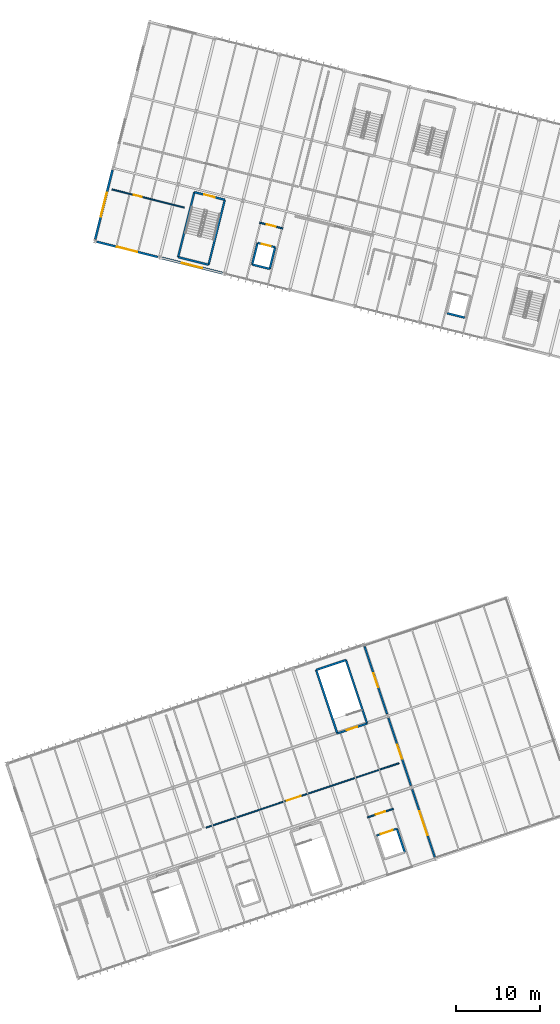
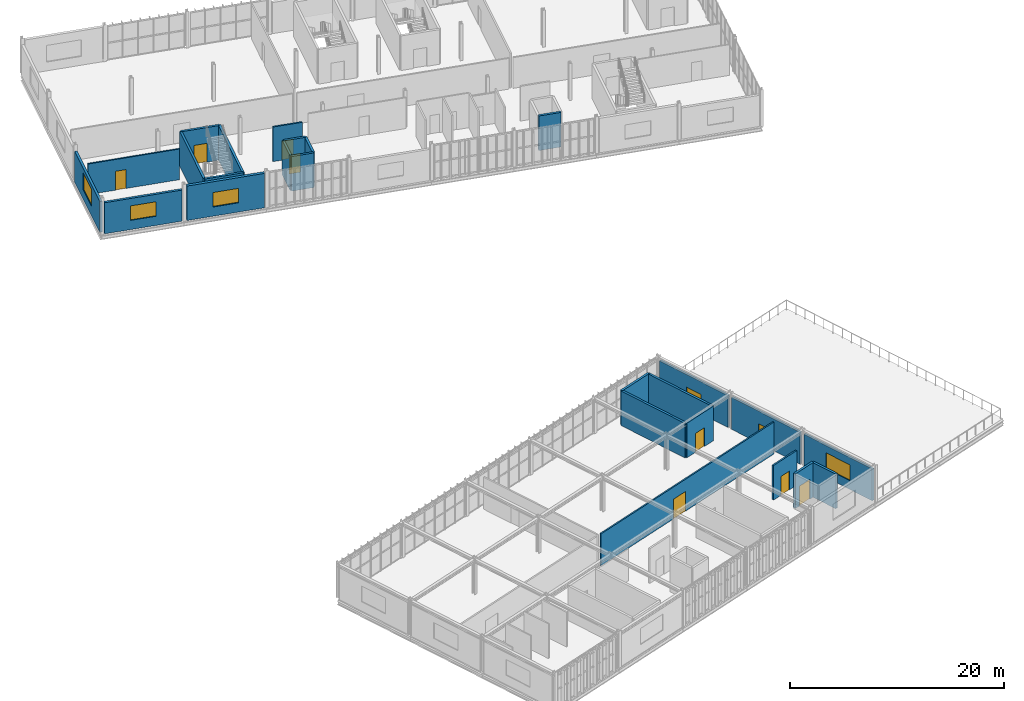
# One storey, part 45 of 61: 25 walls, 10 doors, 4 windows, 14 openings.
"""IFC4 building model written with IfcOpenShell, lengths in metres."""

from ifc_helpers import new_model, si_unit, derived_unit, direction, frame, frame_2d, origin, place, context, subcontext, project, spatial, rectangle, extrude, material, layer, layer_set, type_object, element, fill, save


model = new_model("IFC4")

# Units and contexts
model_context = context("Model", 3, precision=1e-05, world=origin(), true_north=direction((0.0, 1.0)))
body_context = subcontext(model_context, "Body", "Model", "MODEL_VIEW")
ifc_project = project(units=[si_unit("LENGTHUNIT", "METRE"), si_unit("AREAUNIT", "SQUARE_METRE"), si_unit("VOLUMEUNIT", "CUBIC_METRE"), si_unit("PLANEANGLEUNIT", "RADIAN"), si_unit("MASSUNIT", "GRAM", prefix="KILO"), si_unit("THERMODYNAMICTEMPERATUREUNIT", "KELVIN"), si_unit("TIMEUNIT", "SECOND"), derived_unit("THERMALTRANSMITTANCEUNIT", [(si_unit("MASSUNIT", "GRAM", prefix="KILO"), 1), (si_unit("THERMODYNAMICTEMPERATUREUNIT", "KELVIN"), -1), (si_unit("TIMEUNIT", "SECOND"), -3)])], contexts=[model_context])

# Site, building, storey
site_placement = place(None, origin())
site = spatial("IfcSite", under=ifc_project, at=site_placement, CompositionType="ELEMENT")
building_placement = place(site_placement, origin())
building = spatial("IfcBuilding", under=site, at=building_placement, Name="Cambertide Market Hall", CompositionType="ELEMENT")
storey_placement = place(building_placement, frame((0.0, 0.0, 9.89990234375)))
storey = spatial("IfcBuildingStorey", under=building, at=storey_placement, Name="L03", CompositionType="ELEMENT", Elevation=9.89990234375)

# Wall, opening, door
ifc_material_1 = material(Name="Autoclaved Aerated Concrete Blockwork M7.5", Category="masonry")
ifc_layer_1 = layer(ifc_material_1, 0.14990234375, Name="Culinary Classroom Acoustic Partition 150")
ifc_layer_set_1 = layer_set([ifc_layer_1], Name="Autoclaved Aerated Concrete Blockwork M7.5")
wall_type_1 = type_object("IfcWallType", Name="Culinary Classroom Acoustic Partition 150", PredefinedType="PARTITIONING", material=ifc_layer_set_1)
wall_1_placement = place(storey_placement, frame((121.299072265625, 29.980712890625, 0.0), z_axis=(0.0, 0.0, 1.0), x_axis=(0.948683298051, 0.316227766017, 0.0)))
wall_1 = element("IfcWall", 1, at=wall_1_placement, inside=storey, type_object=wall_type_1, Name="Level 3 Interior Wall IW-L03-V3C2", PredefinedType="PARTITIONING", context=body_context, shape_type="SweptSolid", body=[
    extrude(rectangle(XDim=24.300048828125, YDim=0.14990234375, at=frame_2d((12.14990234375, 0.0))), origin(), (0.0, 0.0, 1.0), 3.64013671875),
])
opening_1_placement = place(wall_1_placement, frame((10.1474609375, 0.0, 0.0)))
opening_1 = element("IfcOpeningElement", 2, at=opening_1_placement, cuts=wall_1, Name="Opening ID-02", PredefinedType="OPENING", context=body_context, shape_type="SweptSolid", body=[
    extrude(rectangle(XDim=1.75, YDim=2.25, at=frame_2d((0.875, 1.125))), frame((0.0, 0.0849609375, 0.0), z_axis=(0.0, -1.0, 0.0), x_axis=(1.0, 0.0, 0.0)), (0.0, 0.0, 1.0), 0.169921875),
])
ifc_material_2 = material(Name="Champagne Marine Anodized Aluminium 6063-T6 AA25", Category="aluminium")
door_type_1 = type_object("IfcDoorType", Name="Tasting Hall Double Door 1750x2250", OperationType="DOUBLE_DOOR_SINGLE_SWING", PredefinedType="DOOR", material=ifc_material_2)
door_1_placement = place(opening_1_placement, origin())
door_1 = element("IfcDoor", 3, at=door_1_placement, inside=storey, type_object=door_type_1, Name="Level 3 Door IW-L03-V3C2-DR1", OperationType="DOUBLE_DOOR_SINGLE_SWING", OverallHeight=2.25, OverallWidth=1.75, PredefinedType="DOOR", context=body_context, shape_type="SweptSolid", body=[
    extrude(rectangle(XDim=1.75, YDim=2.25, at=frame_2d((0.875, 1.125))), frame((0.0, 0.02490234375, 0.0), z_axis=(0.0, -1.0, 0.0), x_axis=(1.0, 0.0, 0.0)), (0.0, 0.0, 1.0), 0.050048828125),
])
fill(opening_1, door_1)

wall_2_placement = place(storey_placement, frame((110.0615234375, 106.1845703125, 0.0), z_axis=(0.0, 0.0, 1.0), x_axis=(0.970145727306, -0.24252271603, 0.0)))
wall_2 = element("IfcWall", 4, at=wall_2_placement, inside=storey, type_object=wall_type_1, Name="Level 3 Interior Wall IW-L03-V4LIB", PredefinedType="PARTITIONING", context=body_context, shape_type="SweptSolid", body=[
    extrude(rectangle(XDim=8.89990234375, YDim=0.14990234375, at=frame_2d((4.449951171875, 0.0))), origin(), (0.0, 0.0, 1.0), 3.4951171875),
])
opening_2_placement = place(wall_2_placement, frame((2.68603515625, 0.0, 0.0)))
opening_2 = element("IfcOpeningElement", 5, at=opening_2_placement, cuts=wall_2, Name="Opening ID-03", PredefinedType="OPENING", context=body_context, shape_type="SweptSolid", body=[
    extrude(rectangle(XDim=1.0, YDim=2.14990234375, at=frame_2d((0.5, 1.074951171875))), frame((0.0, 0.0849609375, 0.0), z_axis=(0.0, -1.0, 0.0), x_axis=(1.0, 0.0, 0.0)), (0.0, 0.0, 1.0), 0.169921875),
])
ifc_material_3 = material(Name="Champagne Marine Anodized Aluminium 6063-T6 AA25", Category="aluminium")
door_type_2 = type_object("IfcDoorType", Name="Accessible Room Single Door 1000x2150", OperationType="NOTDEFINED", PredefinedType="DOOR", material=ifc_material_3)
door_2_placement = place(opening_2_placement, origin())
door_2 = element("IfcDoor", 6, at=door_2_placement, inside=storey, type_object=door_type_2, Name="Level 3 Door IW-L03-V4LIB-DR1", OperationType="SINGLE_SWING_LEFT", OverallHeight=2.14990234375, OverallWidth=1.0, PredefinedType="DOOR", context=body_context, shape_type="SweptSolid", body=[
    extrude(rectangle(XDim=1.0, YDim=2.14990234375, at=frame_2d((0.5, 1.074951171875))), frame((0.0, 0.02490234375, 0.0), z_axis=(0.0, -1.0, 0.0), x_axis=(1.0, 0.0, 0.0)), (0.0, 0.0, 1.0), 0.050048828125),
])
fill(opening_2, door_2)

# Wall, opening, window
ifc_material_4 = material(Name="Autoclaved Aerated Concrete Blockwork M7.5", Category="masonry")
ifc_layer_2 = layer(ifc_material_4, 0.235107421875, Name="Food Court Acoustic Facade Wall 235")
ifc_layer_set_2 = layer_set([ifc_layer_2], Name="Autoclaved Aerated Concrete Blockwork M7.5")
wall_type_2 = type_object("IfcWallType", Name="Food Court Acoustic Facade Wall 235", PredefinedType="SOLIDWALL", material=ifc_layer_set_2)
wall_3_placement = place(storey_placement, frame((145.920654296875, 34.540771484375, 0.0), z_axis=(0.0, 0.0, 1.0), x_axis=(0.316210572821, -0.948689028943, 0.0)))
wall_3 = element("IfcWall", 7, at=wall_3_placement, inside=storey, type_object=wall_type_2, Name="Level 3 Exterior Wall EW-L03-V3TERR-1", PredefinedType="SOLIDWALL", context=body_context, shape_type="SweptSolid", body=[
    extrude(rectangle(XDim=8.52001953125, YDim=0.235107421875, at=frame_2d((4.260009765625, 0.0))), origin(), (0.0, 0.0, 1.0), 3.64013671875),
])
opening_3_placement = place(wall_3_placement, frame((2.760009765625, 0.0, 1.0)))
opening_3 = element("IfcOpeningElement", 8, at=opening_3_placement, cuts=wall_3, Name="Opening WN-04", PredefinedType="OPENING", context=body_context, shape_type="SweptSolid", body=[
    extrude(rectangle(XDim=3.0, YDim=1.800048828125, at=frame_2d((1.5, 0.89990234375))), frame((0.0, 0.12744140625, 0.0), z_axis=(0.0, -1.0, 0.0), x_axis=(1.0, 0.0, 0.0)), (0.0, 0.0, 1.0), 0.255126953125),
])
ifc_material_5 = material(Name="Low-E Laminated Insulated Glass", Category="glass")
window_type_1 = type_object("IfcWindowType", Name="Hawker Hall Louvered Window 3000x1800", PartitioningType="SINGLE_PANEL", PredefinedType="WINDOW", material=ifc_material_5)
window_1_placement = place(opening_3_placement, origin())
window_1 = element("IfcWindow", 9, at=window_1_placement, inside=storey, type_object=window_type_1, Name="Level 3 Window EW-L03-V3TERR-1-WN", OverallHeight=1.800048828125, OverallWidth=3.0, PartitioningType="SINGLE_PANEL", PredefinedType="WINDOW", context=body_context, shape_type="SweptSolid", body=[
    extrude(rectangle(XDim=3.0, YDim=1.800048828125, at=frame_2d((1.5, 0.89990234375))), frame((0.0, 0.030029296875, 0.0), z_axis=(0.0, -1.0, 0.0), x_axis=(1.0, 0.0, 0.0)), (0.0, 0.0, 1.0), 0.06005859375),
])
fill(opening_3, window_1)

# Wall, opening, door
wall_4_placement = place(storey_placement, frame((143.074462890625, 43.078857421875, 0.0), z_axis=(0.0, 0.0, 1.0), x_axis=(0.316236362498, -0.948680432514, 0.0)))
wall_4 = element("IfcWall", 10, at=wall_4_placement, inside=storey, type_object=wall_type_2, Name="Level 3 Exterior Wall EW-L03-V3TERR-2", PredefinedType="SOLIDWALL", context=body_context, shape_type="SweptSolid", body=[
    extrude(rectangle(XDim=8.52001953125, YDim=0.235107421875, at=frame_2d((4.260009765625, 0.0))), origin(), (0.0, 0.0, 1.0), 3.64013671875),
])
opening_4_placement = place(wall_4_placement, frame((3.360107421875, 0.0, 0.0)))
opening_4 = element("IfcOpeningElement", 11, at=opening_4_placement, cuts=wall_4, Name="Opening TD-01", PredefinedType="OPENING", context=body_context, shape_type="SweptSolid", body=[
    extrude(rectangle(XDim=1.800048828125, YDim=2.199951171875, at=frame_2d((0.89990234375, 1.10009765625))), frame((0.0, 0.12744140625, 0.0), z_axis=(0.0, -1.0, 0.0), x_axis=(1.0, 0.0, 0.0)), (0.0, 0.0, 1.0), 0.255126953125),
])
ifc_material_6 = material(Name="Champagne Marine Anodized Aluminium 6063-T6 AA25", Category="aluminium")
door_type_3 = type_object("IfcDoorType", Name="Glazed Terrace Double Door 1800x2200", OperationType="DOUBLE_DOOR_SINGLE_SWING", PredefinedType="DOOR", material=ifc_material_6)
door_3_placement = place(opening_4_placement, origin())
door_3 = element("IfcDoor", 12, at=door_3_placement, inside=storey, type_object=door_type_3, Name="Level 3 Exterior Door EW-L03-V3TERR-2-DR", OperationType="DOUBLE_DOOR_SINGLE_SWING", OverallHeight=2.199951171875, OverallWidth=1.800048828125, PredefinedType="DOOR", context=body_context, shape_type="SweptSolid", body=[
    extrude(rectangle(XDim=1.800048828125, YDim=2.199951171875, at=frame_2d((0.89990234375, 1.10009765625))), frame((0.0, 0.02490234375, 0.0), z_axis=(0.0, -1.0, 0.0), x_axis=(1.0, 0.0, 0.0)), (0.0, 0.0, 1.0), 0.050048828125),
])
fill(opening_4, door_3)

wall_5_placement = place(storey_placement, frame((140.228515625, 51.616943359375, 0.0), z_axis=(0.0, 0.0, 1.0), x_axis=(0.316236362498, -0.948680432514, 0.0)))
wall_5 = element("IfcWall", 13, at=wall_5_placement, inside=storey, type_object=wall_type_2, Name="Level 3 Exterior Wall EW-L03-V3TERR-3", PredefinedType="SOLIDWALL", context=body_context, shape_type="SweptSolid", body=[
    extrude(rectangle(XDim=8.52001953125, YDim=0.235107421875, at=frame_2d((4.260009765625, 0.0))), origin(), (0.0, 0.0, 1.0), 3.64013671875),
])
opening_5_placement = place(wall_5_placement, frame((3.360107421875, 0.0, 0.0)))
opening_5 = element("IfcOpeningElement", 14, at=opening_5_placement, cuts=wall_5, Name="Opening TD-01", PredefinedType="OPENING", context=body_context, shape_type="SweptSolid", body=[
    extrude(rectangle(XDim=1.800048828125, YDim=2.199951171875, at=frame_2d((0.89990234375, 1.10009765625))), frame((0.0, 0.12744140625, 0.0), z_axis=(0.0, -1.0, 0.0), x_axis=(1.0, 0.0, 0.0)), (0.0, 0.0, 1.0), 0.255126953125),
])
door_4_placement = place(opening_5_placement, origin())
door_4 = element("IfcDoor", 15, at=door_4_placement, inside=storey, type_object=door_type_3, Name="Level 3 Exterior Door EW-L03-V3TERR-3-DR", OperationType="DOUBLE_DOOR_SINGLE_SWING", OverallHeight=2.199951171875, OverallWidth=1.800048828125, PredefinedType="DOOR", context=body_context, shape_type="SweptSolid", body=[
    extrude(rectangle(XDim=1.800048828125, YDim=2.199951171875, at=frame_2d((0.89990234375, 1.10009765625))), frame((0.0, 0.02490234375, 0.0), z_axis=(0.0, -1.0, 0.0), x_axis=(1.0, 0.0, 0.0)), (0.0, 0.0, 1.0), 0.050048828125),
])
fill(opening_5, door_4)

# Wall, opening, window
ifc_material_7 = material(Name="Autoclaved Aerated Concrete Blockwork M7.5", Category="masonry")
ifc_layer_3 = layer(ifc_material_7, 0.25, Name="Insulated AAC Exterior Infill Wall 250")
ifc_layer_set_3 = layer_set([ifc_layer_3], Name="Autoclaved Aerated Concrete Blockwork M7.5")
wall_type_3 = type_object("IfcWallType", Name="Insulated AAC Exterior Infill Wall 250", PredefinedType="SOLIDWALL", material=ifc_layer_set_3)
wall_6_placement = place(storey_placement, frame((115.5283203125, 98.117919921875, 0.0), z_axis=(0.0, 0.0, 1.0), x_axis=(-0.970138680536, 0.242550902961, 0.0)))
wall_6 = element("IfcWall", 16, at=wall_6_placement, inside=storey, type_object=wall_type_3, Name="Level 3 Exterior Wall EW-L03-V4S-1", PredefinedType="SOLIDWALL", context=body_context, shape_type="SweptSolid", body=[
    extrude(rectangle(XDim=7.52001953125, YDim=0.25, at=frame_2d((3.760009765625, 0.0))), origin(), (0.0, 0.0, 1.0), 3.545166015625),
])
opening_6_placement = place(wall_6_placement, frame((2.510009765625, 0.0, 1.050048828125)))
opening_6 = element("IfcOpeningElement", 17, at=opening_6_placement, cuts=wall_6, Name="Opening WN-09", PredefinedType="OPENING", context=body_context, shape_type="SweptSolid", body=[
    extrude(rectangle(XDim=2.5, YDim=1.64990234375, at=frame_2d((1.25, 0.824951171875))), frame((0.0, 0.135009765625, 0.0), z_axis=(0.0, -1.0, 0.0), x_axis=(1.0, 0.0, 0.0)), (0.0, 0.0, 1.0), 0.27001953125),
])
ifc_material_8 = material(Name="Low-E Laminated Insulated Glass", Category="glass")
window_type_2 = type_object("IfcWindowType", Name="Market Admin Office Window 2500x1650", PartitioningType="SINGLE_PANEL", PredefinedType="WINDOW", material=ifc_material_8)
window_2_placement = place(opening_6_placement, origin())
window_2 = element("IfcWindow", 18, at=window_2_placement, inside=storey, type_object=window_type_2, Name="Level 3 Window EW-L03-V4S-1-WN", OverallHeight=1.64990234375, OverallWidth=2.5, PartitioningType="SINGLE_PANEL", PredefinedType="WINDOW", context=body_context, shape_type="SweptSolid", body=[
    extrude(rectangle(XDim=2.5, YDim=1.64990234375, at=frame_2d((1.25, 0.824951171875))), frame((0.0, 0.030029296875, 0.0), z_axis=(0.0, -1.0, 0.0), x_axis=(1.0, 0.0, 0.0)), (0.0, 0.0, 1.0), 0.06005859375),
])
fill(opening_6, window_2)

wall_7_placement = place(storey_placement, frame((108.05810546875, 100.23291015625, 0.0), z_axis=(0.0, 0.0, 1.0), x_axis=(0.242535625036, 0.970142500145, 0.0)))
wall_7 = element("IfcWall", 19, at=wall_7_placement, inside=storey, type_object=wall_type_3, Name="Level 3 Exterior Wall EW-L03-V4W-1", PredefinedType="SOLIDWALL", context=body_context, shape_type="SweptSolid", body=[
    extrude(rectangle(XDim=8.52001953125, YDim=0.25, at=frame_2d((4.260009765625, 0.0))), origin(), (0.0, 0.0, 1.0), 3.4951171875),
])
opening_7_placement = place(wall_7_placement, frame((2.81005859375, 0.0, 1.050048828125)))
opening_7 = element("IfcOpeningElement", 20, at=opening_7_placement, cuts=wall_7, Name="Opening WN-07", PredefinedType="OPENING", context=body_context, shape_type="SweptSolid", body=[
    extrude(rectangle(XDim=2.89990234375, YDim=1.949951171875, at=frame_2d((1.449951171875, 0.97509765625))), frame((0.0, 0.135009765625, 0.0), z_axis=(0.0, -1.0, 0.0), x_axis=(1.0, 0.0, 0.0)), (0.0, 0.0, 1.0), 0.27001953125),
])
ifc_material_9 = material(Name="Low-E Laminated Insulated Glass", Category="glass")
window_type_3 = type_object("IfcWindowType", Name="Spice Hall Punched Window 2900x1950", PartitioningType="SINGLE_PANEL", PredefinedType="WINDOW", material=ifc_material_9)
window_3_placement = place(opening_7_placement, origin())
window_3 = element("IfcWindow", 21, at=window_3_placement, inside=storey, type_object=window_type_3, Name="Level 3 Window EW-L03-V4W-1-WN", OverallHeight=1.949951171875, OverallWidth=2.89990234375, PartitioningType="SINGLE_PANEL", PredefinedType="WINDOW", context=body_context, shape_type="SweptSolid", body=[
    extrude(rectangle(XDim=2.89990234375, YDim=1.949951171875, at=frame_2d((1.449951171875, 0.97509765625))), frame((0.0, 0.030029296875, 0.0), z_axis=(0.0, -1.0, 0.0), x_axis=(1.0, 0.0, 0.0)), (0.0, 0.0, 1.0), 0.06005859375),
])
fill(opening_7, window_3)

# Wall, opening, door
ifc_material_10 = material(Name="Autoclaved Aerated Concrete Blockwork M7.5", Category="masonry")
ifc_layer_4 = layer(ifc_material_10, 0.169921875, Name="Lift Lobby Fire Partition 170")
ifc_layer_set_4 = layer_set([ifc_layer_4], Name="Autoclaved Aerated Concrete Blockwork M7.5")
wall_type_4 = type_object("IfcWallType", Name="Lift Lobby Fire Partition 170", PredefinedType="PARTITIONING", material=ifc_layer_set_4)
wall_8_placement = place(storey_placement, frame((127.6962890625, 102.21923828125, 0.0), z_axis=(0.0, 0.0, 1.0), x_axis=(0.970127434573, -0.242595879372, 0.0)))
wall_8 = element("IfcWall", 22, at=wall_8_placement, inside=storey, type_object=wall_type_4, Name="Level 3 Interior Wall LLW-LP-03-L03", PredefinedType="PARTITIONING", context=body_context, shape_type="SweptSolid", body=[
    extrude(rectangle(XDim=2.860107421875, YDim=0.169921875, at=frame_2d((1.43017578125, 0.0))), origin(), (0.0, 0.0, 1.0), 3.940185546875),
])
opening_8_placement = place(wall_8_placement, frame((0.85498046875, 0.0, 0.0)))
opening_8 = element("IfcOpeningElement", 23, at=opening_8_placement, cuts=wall_8, Name="Opening KD-02", PredefinedType="OPENING", context=body_context, shape_type="SweptSolid", body=[
    extrude(rectangle(XDim=1.14990234375, YDim=2.14990234375, at=frame_2d((0.574951171875, 1.074951171875))), frame((0.0, 0.094970703125, 0.0), z_axis=(0.0, -1.0, 0.0), x_axis=(1.0, 0.0, 0.0)), (0.0, 0.0, 1.0), 0.18994140625),
])
ifc_material_11 = material(Name="Stainless Steel Grade 316", Category="metal")
door_type_4 = type_object("IfcDoorType", Name="Lift Lobby Smoke-Stop Door 1150x2150", OperationType="NOTDEFINED", PredefinedType="DOOR", material=ifc_material_11)
door_5_placement = place(opening_8_placement, origin())
door_5 = element("IfcDoor", 24, at=door_5_placement, inside=storey, type_object=door_type_4, Name="Level 3 Door LLW-LP-03-L03-DR1", OperationType="SINGLE_SWING_RIGHT", OverallHeight=2.14990234375, OverallWidth=1.14990234375, PredefinedType="DOOR", context=body_context, shape_type="SweptSolid", body=[
    extrude(rectangle(XDim=1.14990234375, YDim=2.14990234375, at=frame_2d((0.574951171875, 1.074951171875))), frame((0.0, 0.02490234375, 0.0), z_axis=(0.0, -1.0, 0.0), x_axis=(1.0, 0.0, 0.0)), (0.0, 0.0, 1.0), 0.050048828125),
])
fill(opening_8, door_5)

wall_9_placement = place(storey_placement, frame((140.5732421875, 31.1982421875, 0.0), z_axis=(0.0, 0.0, 1.0), x_axis=(0.948698274856, 0.316182832053, 0.0)))
wall_9 = element("IfcWall", 25, at=wall_9_placement, inside=storey, type_object=wall_type_4, Name="Level 3 Interior Wall LLW-LG-02-L03", PredefinedType="PARTITIONING", context=body_context, shape_type="SweptSolid", body=[
    extrude(rectangle(XDim=3.260009765625, YDim=0.169921875, at=frame_2d((1.6298828125, 0.0))), origin(), (0.0, 0.0, 1.0), 3.940185546875),
])
opening_9_placement = place(wall_9_placement, frame((1.054931640625, 0.0, 0.0)))
opening_9 = element("IfcOpeningElement", 26, at=opening_9_placement, cuts=wall_9, Name="Opening KD-02", PredefinedType="OPENING", context=body_context, shape_type="SweptSolid", body=[
    extrude(rectangle(XDim=1.14990234375, YDim=2.14990234375, at=frame_2d((0.574951171875, 1.074951171875))), frame((0.0, 0.094970703125, 0.0), z_axis=(0.0, -1.0, 0.0), x_axis=(1.0, 0.0, 0.0)), (0.0, 0.0, 1.0), 0.18994140625),
])
door_6_placement = place(opening_9_placement, origin())
door_6 = element("IfcDoor", 27, at=door_6_placement, inside=storey, type_object=door_type_4, Name="Level 3 Door LLW-LG-02-L03-DR1", OperationType="SINGLE_SWING_LEFT", OverallHeight=2.14990234375, OverallWidth=1.14990234375, PredefinedType="DOOR", context=body_context, shape_type="SweptSolid", body=[
    extrude(rectangle(XDim=1.14990234375, YDim=2.14990234375, at=frame_2d((0.574951171875, 1.074951171875))), frame((0.0, 0.02490234375, 0.0), z_axis=(0.0, -1.0, 0.0), x_axis=(1.0, 0.0, 0.0)), (0.0, 0.0, 1.0), 0.050048828125),
])
fill(opening_9, door_6)

ifc_material_12 = material(Name="Concrete B35", Category="concrete")
ifc_layer_5 = layer(ifc_material_12, 0.239990234375, Name="Stair & Lift Core Shaft Wall 240")
ifc_layer_set_5 = layer_set([ifc_layer_5], Name="Concrete B35")
wall_type_5 = type_object("IfcWallType", Name="Stair & Lift Core Shaft Wall 240", PredefinedType="SOLIDWALL", material=ifc_layer_set_5)
wall_10_placement = place(storey_placement, frame((140.531982421875, 42.4052734375, 0.0), z_axis=(0.0, 0.0, 1.0), x_axis=(-0.948683298051, -0.316227766017, 0.0)))
wall_10 = element("IfcWall", 28, at=wall_10_placement, inside=storey, type_object=wall_type_5, Name="Level 3 Interior Wall SHW-ST-06B-L03-NEAR", PredefinedType="SOLIDWALL", context=body_context, shape_type="SweptSolid", body=[
    extrude(rectangle(XDim=3.749755859375, YDim=0.239990234375, at=frame_2d((1.875, 0.0))), origin(), (0.0, 0.0, 1.0), 3.940185546875),
])
opening_10_placement = place(wall_10_placement, frame((1.22509765625, 0.0, 0.0)))
opening_10 = element("IfcOpeningElement", 29, at=opening_10_placement, cuts=wall_10, Name="Opening FD-01", PredefinedType="OPENING", context=body_context, shape_type="SweptSolid", body=[
    extrude(rectangle(XDim=1.300048828125, YDim=2.14990234375, at=frame_2d((0.64990234375, 1.074951171875))), frame((0.0, 0.1298828125, 0.0), z_axis=(0.0, -1.0, 0.0), x_axis=(1.0, 0.0, 0.0)), (0.0, 0.0, 1.0), 0.260009765625),
])
ifc_material_13 = material(Name="Powder-Coated Galvanized Sheet Metal", Category="metal")
door_type_5 = type_object("IfcDoorType", Name="Stair Core Fire Door 1300x2150", OperationType="NOTDEFINED", PredefinedType="DOOR", material=ifc_material_13)
door_7_placement = place(opening_10_placement, origin())
door_7 = element("IfcDoor", 30, at=door_7_placement, inside=storey, type_object=door_type_5, Name="Level 3 Door SHW-ST-06B-L03-NEAR-DR1", OperationType="SINGLE_SWING_RIGHT", OverallHeight=2.14990234375, OverallWidth=1.300048828125, PredefinedType="DOOR", context=body_context, shape_type="SweptSolid", body=[
    extrude(rectangle(XDim=1.300048828125, YDim=2.14990234375, at=frame_2d((0.64990234375, 1.074951171875))), frame((0.0, 0.02490234375, 0.0), z_axis=(0.0, -1.0, 0.0), x_axis=(1.0, 0.0, 0.0)), (0.0, 0.0, 1.0), 0.050048828125),
])
fill(opening_10, door_7)

# Walls
wall_11_placement = place(storey_placement, frame((138.002197265625, 49.994873046875, 0.0), z_axis=(0.0, 0.0, 1.0), x_axis=(0.31621861086, -0.94868634972, 0.0)))
element("IfcWall", 31, at=wall_11_placement, inside=storey, type_object=wall_type_5, Name="Level 3 Interior Wall SHW-ST-06B-L03-L", PredefinedType="SOLIDWALL", context=body_context, shape_type="SweptSolid", body=[
    extrude(rectangle(XDim=8.0, YDim=0.239990234375, at=frame_2d((4.0, 0.0))), origin(), (0.0, 0.0, 1.0), 3.940185546875),
])
wall_12_placement = place(storey_placement, frame((134.444580078125, 48.808837890625, 0.0), z_axis=(0.0, 0.0, 1.0), x_axis=(0.948670276792, 0.316266827111, 0.0)))
element("IfcWall", 32, at=wall_12_placement, inside=storey, type_object=wall_type_5, Name="Level 3 Interior Wall SHW-ST-06B-L03-FAR", PredefinedType="SOLIDWALL", context=body_context, shape_type="SweptSolid", body=[
    extrude(rectangle(XDim=3.75, YDim=0.239990234375, at=frame_2d((1.875, 0.0))), origin(), (0.0, 0.0, 1.0), 3.940185546875),
])
wall_13_placement = place(storey_placement, frame((136.974609375, 41.219482421875, 0.0), z_axis=(0.0, 0.0, 1.0), x_axis=(-0.316255231841, 0.948674142334, 0.0)))
element("IfcWall", 33, at=wall_13_placement, inside=storey, type_object=wall_type_5, Name="Level 3 Interior Wall SHW-ST-06B-L03-R", PredefinedType="SOLIDWALL", context=body_context, shape_type="SweptSolid", body=[
    extrude(rectangle(XDim=8.0, YDim=0.239990234375, at=frame_2d((4.0, 0.0))), origin(), (0.0, 0.0, 1.0), 3.940185546875),
])

# Wall, opening, door
wall_14_placement = place(storey_placement, frame((119.90234375, 105.86328125, 0.0), z_axis=(0.0, 0.0, 1.0), x_axis=(0.970150158722, -0.242504988675, 0.0)))
wall_14 = element("IfcWall", 34, at=wall_14_placement, inside=storey, type_object=wall_type_5, Name="Level 3 Interior Wall SHW-ST-07A-L03-NEAR", PredefinedType="SOLIDWALL", context=body_context, shape_type="SweptSolid", body=[
    extrude(rectangle(XDim=3.750244140625, YDim=0.239990234375, at=frame_2d((1.875, 0.0))), origin(), (0.0, 0.0, 1.0), 3.945068359375),
])
opening_11_placement = place(wall_14_placement, frame((1.22509765625, 0.0, 0.0)))
opening_11 = element("IfcOpeningElement", 35, at=opening_11_placement, cuts=wall_14, Name="Opening FD-01", PredefinedType="OPENING", context=body_context, shape_type="SweptSolid", body=[
    extrude(rectangle(XDim=1.300048828125, YDim=2.14990234375, at=frame_2d((0.64990234375, 1.074951171875))), frame((0.0, 0.1298828125, 0.0), z_axis=(0.0, -1.0, 0.0), x_axis=(1.0, 0.0, 0.0)), (0.0, 0.0, 1.0), 0.260009765625),
])
door_8_placement = place(opening_11_placement, origin())
door_8 = element("IfcDoor", 36, at=door_8_placement, inside=storey, type_object=door_type_5, Name="Level 3 Door SHW-ST-07A-L03-NEAR-DR1", OperationType="SINGLE_SWING_RIGHT", OverallHeight=2.14990234375, OverallWidth=1.300048828125, PredefinedType="DOOR", context=body_context, shape_type="SweptSolid", body=[
    extrude(rectangle(XDim=1.300048828125, YDim=2.14990234375, at=frame_2d((0.64990234375, 1.074951171875))), frame((0.0, 0.02490234375, 0.0), z_axis=(0.0, -1.0, 0.0), x_axis=(1.0, 0.0, 0.0)), (0.0, 0.0, 1.0), 0.050048828125),
])
fill(opening_11, door_8)

# Walls
wall_15_placement = place(storey_placement, frame((117.962158203125, 98.102294921875, 0.0), z_axis=(0.0, 0.0, 1.0), x_axis=(0.242528444268, 0.970144295309, 0.0)))
element("IfcWall", 37, at=wall_15_placement, inside=storey, type_object=wall_type_5, Name="Level 3 Interior Wall SHW-ST-07A-L03-L", PredefinedType="SOLIDWALL", context=body_context, shape_type="SweptSolid", body=[
    extrude(rectangle(XDim=7.999755859375, YDim=0.239990234375, at=frame_2d((4.0, 0.0))), origin(), (0.0, 0.0, 1.0), 3.945068359375),
])
wall_16_placement = place(storey_placement, frame((121.60009765625, 97.192626953125, 0.0), z_axis=(0.0, 0.0, 1.0), x_axis=(-0.970131009923, 0.242581581301, 0.0)))
element("IfcWall", 38, at=wall_16_placement, inside=storey, type_object=wall_type_5, Name="Level 3 Interior Wall SHW-ST-07A-L03-FAR", PredefinedType="SOLIDWALL", context=body_context, shape_type="SweptSolid", body=[
    extrude(rectangle(XDim=3.75, YDim=0.239990234375, at=frame_2d((1.875, 0.0))), origin(), (0.0, 0.0, 1.0), 3.945068359375),
])
wall_17_placement = place(storey_placement, frame((123.54052734375, 104.953857421875, 0.0), z_axis=(0.0, 0.0, 1.0), x_axis=(-0.242549986002, -0.970138909791, 0.0)))
element("IfcWall", 39, at=wall_17_placement, inside=storey, type_object=wall_type_5, Name="Level 3 Interior Wall SHW-ST-07A-L03-R", PredefinedType="SOLIDWALL", context=body_context, shape_type="SweptSolid", body=[
    extrude(rectangle(XDim=8.000244140625, YDim=0.239990234375, at=frame_2d((4.0, 0.0))), origin(), (0.0, 0.0, 1.0), 3.945068359375),
])
wall_18_placement = place(storey_placement, frame((128.904052734375, 96.701416015625, 0.0), z_axis=(0.0, 0.0, 1.0), x_axis=(-0.970135850962, 0.242562220222, 0.0)))
element("IfcWall", 40, at=wall_18_placement, inside=storey, type_object=wall_type_5, Name="Level 3 Interior Wall LSH-LP-03-L03-S", PredefinedType="SOLIDWALL", context=body_context, shape_type="SweptSolid", body=[
    extrude(rectangle(XDim=2.159912109375, YDim=0.239990234375, at=frame_2d((1.080078125, 0.0))), origin(), (0.0, 0.0, 1.0), 3.940185546875),
])

# Wall, opening, door
wall_19_placement = place(storey_placement, frame((127.453857421875, 99.805908203125, 0.0), z_axis=(0.0, 0.0, 1.0), x_axis=(0.970135850962, -0.242562220222, 0.0)))
wall_19 = element("IfcWall", 41, at=wall_19_placement, inside=storey, type_object=wall_type_5, Name="Level 3 Interior Wall LSH-LP-03-L03-N", PredefinedType="SOLIDWALL", context=body_context, shape_type="SweptSolid", body=[
    extrude(rectangle(XDim=2.159912109375, YDim=0.239990234375, at=frame_2d((1.080078125, 0.0))), origin(), (0.0, 0.0, 1.0), 3.940185546875),
])
opening_12_placement = place(wall_19_placement, frame((0.530029296875, 0.0, 0.0)))
opening_12 = element("IfcOpeningElement", 42, at=opening_12_placement, cuts=wall_19, Name="Opening LD-01", PredefinedType="OPENING", context=body_context, shape_type="SweptSolid", body=[
    extrude(rectangle(XDim=1.10009765625, YDim=2.14990234375, at=frame_2d((0.550048828125, 1.074951171875))), frame((0.0, 0.1298828125, 0.0), z_axis=(0.0, -1.0, 0.0), x_axis=(1.0, 0.0, 0.0)), (0.0, 0.0, 1.0), 0.260009765625),
])
ifc_material_14 = material(Name="Stainless Steel Grade 316", Category="metal")
door_type_6 = type_object("IfcDoorType", Name="Passenger Lift Sliding Landing Door 1100x2150", OperationType="DOUBLE_DOOR_SLIDING", PredefinedType="DOOR", material=ifc_material_14)
door_9_placement = place(opening_12_placement, origin())
door_9 = element("IfcDoor", 43, at=door_9_placement, inside=storey, type_object=door_type_6, Name="Level 3 Door LSH-LP-03-L03-N-DR1", OperationType="DOUBLE_DOOR_SLIDING", OverallHeight=2.14990234375, OverallWidth=1.10009765625, PredefinedType="DOOR", context=body_context, shape_type="SweptSolid", body=[
    extrude(rectangle(XDim=1.10009765625, YDim=2.14990234375, at=frame_2d((0.550048828125, 1.074951171875))), frame((0.0, 0.02490234375, 0.0), z_axis=(0.0, -1.0, 0.0), x_axis=(1.0, 0.0, 0.0)), (0.0, 0.0, 1.0), 0.050048828125),
])
fill(opening_12, door_9)

# Walls
for number, where, z_axis, x_axis, name in (
    (44, (126.80859375, 97.225341796875, 0.0), (0.0, 0.0, 1.0), (0.242578816146, 0.970131701346, 0.0), "Level 3 Interior Wall LSH-LP-03-L03-W"),
    (45, (129.54931640625, 99.281982421875, 0.0), (0.0, 0.0, 1.0), (-0.242578816146, -0.970131701346, 0.0), "Level 3 Interior Wall LSH-LP-03-L03-E"),
):
    element("IfcWall", number, at=place(storey_placement, frame(where, z_axis=z_axis, x_axis=x_axis)), inside=storey, type_object=wall_type_5, Name=name, PredefinedType="SOLIDWALL", context=body_context, shape_type="SweptSolid", body=[
        extrude(rectangle(XDim=2.659912109375, YDim=0.239990234375, at=frame_2d((1.330078125, 0.0))), origin(), (0.0, 0.0, 1.0), 3.940185546875),
    ])
wall_20_placement = place(storey_placement, frame((152.1875, 90.880615234375, 0.0), z_axis=(0.0, 0.0, 1.0), x_axis=(-0.970135850962, 0.242562220222, 0.0)))
element("IfcWall", 46, at=wall_20_placement, inside=storey, type_object=wall_type_5, Name="Level 3 Interior Wall LSH-LP-04-L03-S", PredefinedType="SOLIDWALL", context=body_context, shape_type="SweptSolid", body=[
    extrude(rectangle(XDim=2.159912109375, YDim=0.239990234375, at=frame_2d((1.080078125, 0.0))), origin(), (0.0, 0.0, 1.0), 3.940185546875),
])

# Wall, opening, door
wall_21_placement = place(storey_placement, frame((141.664306640625, 29.031982421875, 0.0), z_axis=(0.0, 0.0, 1.0), x_axis=(0.948673760334, 0.316256377729, 0.0)))
wall_21 = element("IfcWall", 47, at=wall_21_placement, inside=storey, type_object=wall_type_5, Name="Level 3 Interior Wall LSH-LG-02-L03-N", PredefinedType="SOLIDWALL", context=body_context, shape_type="SweptSolid", body=[
    extrude(rectangle(XDim=2.559814453125, YDim=0.239990234375, at=frame_2d((1.27978515625, 0.0))), origin(), (0.0, 0.0, 1.0), 3.940185546875),
])
opening_13_placement = place(wall_21_placement, frame((0.530029296875, 0.0, 0.0)))
opening_13 = element("IfcOpeningElement", 48, at=opening_13_placement, cuts=wall_21, Name="Opening LD-02", PredefinedType="OPENING", context=body_context, shape_type="SweptSolid", body=[
    extrude(rectangle(XDim=1.5, YDim=2.25, at=frame_2d((0.75, 1.125))), frame((0.0, 0.1298828125, 0.0), z_axis=(0.0, -1.0, 0.0), x_axis=(1.0, 0.0, 0.0)), (0.0, 0.0, 1.0), 0.260009765625),
])
ifc_material_15 = material(Name="Stainless Steel Grade 316", Category="metal")
door_type_7 = type_object("IfcDoorType", Name="Goods Lift Sliding Landing Door 1500x2250", OperationType="DOUBLE_DOOR_SLIDING", PredefinedType="DOOR", material=ifc_material_15)
door_10_placement = place(opening_13_placement, origin())
door_10 = element("IfcDoor", 49, at=door_10_placement, inside=storey, type_object=door_type_7, Name="Level 3 Door LSH-LG-02-L03-N-DR1", OperationType="DOUBLE_DOOR_SLIDING", OverallHeight=2.25, OverallWidth=1.5, PredefinedType="DOOR", context=body_context, shape_type="SweptSolid", body=[
    extrude(rectangle(XDim=1.5, YDim=2.25, at=frame_2d((0.75, 1.125))), frame((0.0, 0.02490234375, 0.0), z_axis=(0.0, -1.0, 0.0), x_axis=(1.0, 0.0, 0.0)), (0.0, 0.0, 1.0), 0.050048828125),
])
fill(opening_13, door_10)

# Wall
wall_22_placement = place(storey_placement, frame((144.0927734375, 29.841552734375, 0.0), z_axis=(0.0, 0.0, 1.0), x_axis=(0.316227766017, -0.948683298051, 0.0)))
element("IfcWall", 50, at=wall_22_placement, inside=storey, type_object=wall_type_5, Name="Level 3 Interior Wall LSH-LG-02-L03-E", PredefinedType="SOLIDWALL", context=body_context, shape_type="SweptSolid", body=[
    extrude(rectangle(XDim=2.9599609375, YDim=0.239990234375, at=frame_2d((1.47998046875, 0.0))), origin(), (0.0, 0.0, 1.0), 3.940185546875),
])

# Wall, opening, window
ifc_material_16 = material(Name="Concrete B35", Category="concrete")
ifc_layer_6 = layer(ifc_material_16, 0.300048828125, Name="Structural Facade Shear Wall 300")
ifc_layer_set_6 = layer_set([ifc_layer_6], Name="Concrete B35")
wall_type_6 = type_object("IfcWallType", Name="Structural Facade Shear Wall 300", PredefinedType="SHEAR", material=ifc_layer_set_6)
wall_23_placement = place(storey_placement, frame((123.28955078125, 96.177734375, 0.0), z_axis=(0.0, 0.0, 1.0), x_axis=(-0.970148228972, 0.242512708578, 0.0)))
wall_23 = element("IfcWall", 51, at=wall_23_placement, inside=storey, type_object=wall_type_6, Name="Level 3 Exterior Wall EW-L03-V4S-2", PredefinedType="SHEAR", context=body_context, shape_type="SweptSolid", body=[
    extrude(rectangle(XDim=7.520263671875, YDim=0.300048828125, at=frame_2d((3.76025390625, 0.0))), origin(), (0.0, 0.0, 1.0), 3.920166015625),
])
opening_14_placement = place(wall_23_placement, frame((2.510009765625, 0.0, 1.050048828125)))
opening_14 = element("IfcOpeningElement", 52, at=opening_14_placement, cuts=wall_23, Name="Opening WN-09", PredefinedType="OPENING", context=body_context, shape_type="SweptSolid", body=[
    extrude(rectangle(XDim=2.5, YDim=1.64990234375, at=frame_2d((1.25, 0.824951171875))), frame((0.0, 0.159912109375, 0.0), z_axis=(0.0, -1.0, 0.0), x_axis=(1.0, 0.0, 0.0)), (0.0, 0.0, 1.0), 0.320068359375),
])
window_4_placement = place(opening_14_placement, origin())
window_4 = element("IfcWindow", 53, at=window_4_placement, inside=storey, type_object=window_type_2, Name="Level 3 Window EW-L03-V4S-2-WN", OverallHeight=1.64990234375, OverallWidth=2.5, PartitioningType="SINGLE_PANEL", PredefinedType="WINDOW", context=body_context, shape_type="SweptSolid", body=[
    extrude(rectangle(XDim=2.5, YDim=1.64990234375, at=frame_2d((1.25, 0.824951171875))), frame((0.0, 0.030029296875, 0.0), z_axis=(0.0, -1.0, 0.0), x_axis=(1.0, 0.0, 0.0)), (0.0, 0.0, 1.0), 0.06005859375),
])
fill(opening_14, window_4)

save(model, "model.ifc")
